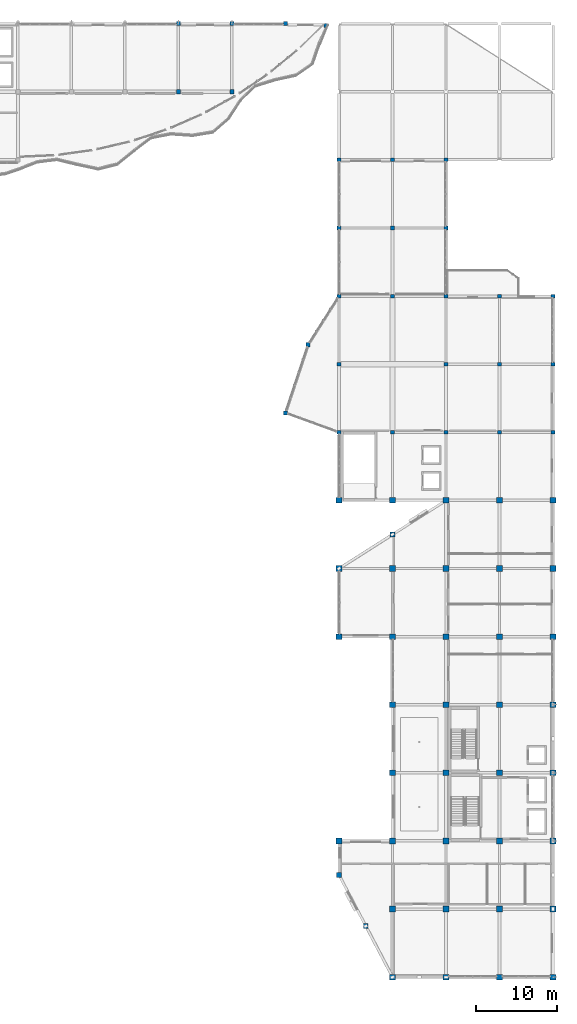
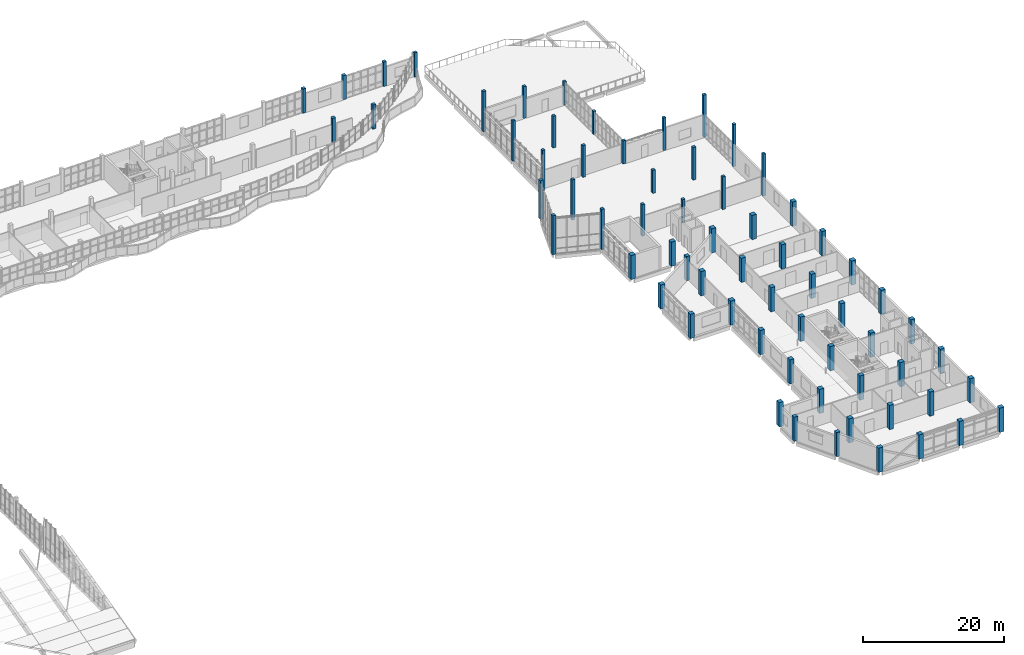
# One storey, part 2 of 78: 67 columns.
"""IFC4 building model written with IfcOpenShell, lengths in metres."""

from ifc_helpers import new_model, si_unit, direction, frame, origin, origin_2d, place, context, subcontext, project, spatial, rectangle, extrude, material, material_profile, profile_set, type_object, element, save


model = new_model("IFC4")

# Units and contexts
model_context = context("Model", 3, precision=1e-05, world=origin(), true_north=direction((0.0, 1.0)))
body_context = subcontext(model_context, "Body", "Model", "MODEL_VIEW")
ifc_project = project(units=[si_unit("LENGTHUNIT", "METRE"), si_unit("AREAUNIT", "SQUARE_METRE"), si_unit("VOLUMEUNIT", "CUBIC_METRE"), si_unit("PLANEANGLEUNIT", "RADIAN"), si_unit("MASSUNIT", "GRAM", prefix="KILO")], contexts=[model_context])

# Site, building, storey
site_placement = place(None, origin())
site = spatial("IfcSite", under=ifc_project, at=site_placement, CompositionType="ELEMENT")
building_placement = place(site_placement, origin())
building = spatial("IfcBuilding", under=site, at=building_placement, Name="Qaldarim Faculty of Natural and Applied Sciences", CompositionType="ELEMENT")
storey_placement = place(building_placement, frame((0.0, 0.0, 18.60009765625)))
storey = spatial("IfcBuildingStorey", under=building, at=storey_placement, Name="L04", CompositionType="ELEMENT", Elevation=18.60009765625)

# Columns
ifc_material_1 = material(Name="Concrete C40/50", Category="concrete")
ifc_material_profile_1 = material_profile(ifc_material_1, rectangle(XDim=0.449951171875, YDim=0.449951171875, at=origin_2d()), Name="RC-C450x450")
ifc_profile_set_1 = profile_set([ifc_material_profile_1], Name="Concrete C40/50")
column_type_1 = type_object("IfcColumnType", Name="Column-RC450x450", PredefinedType="COLUMN", material=ifc_profile_set_1)
for number, where, z_axis, x_axis, name in (
    (1, (151.800048828125, 67.199951171875, 0.0), (0.0, 0.0, 1.0), (1.0, 0.0, 0.0), "Column X24/Y09 L04"),
    (2, (151.800048828125, 75.60009765625, 0.0), (0.0, 0.0, 1.0), (1.0, 0.0, 0.0), "Column X24/Y10 L04"),
    (3, (151.800048828125, 84.0, 0.0), (0.0, 0.0, 1.0), (1.0, 0.0, 0.0), "Column X24/Y11 L04"),
    (4, (151.800048828125, 92.39990234375, 0.0), (0.0, 0.0, 1.0), (1.0, 0.0, 0.0), "Column X24/Y12 L04"),
    (5, (151.800048828125, 100.800048828125, 0.0), (0.0, 0.0, 1.0), (1.0, 0.0, 0.0), "Column X24/Y13 L04"),
):
    element("IfcColumn", number, at=place(storey_placement, frame(where, z_axis=z_axis, x_axis=x_axis)), inside=storey, type_object=column_type_1, Name=name, PredefinedType="COLUMN", context=body_context, shape_type="SweptSolid", body=[
        extrude(rectangle(XDim=0.449951171875, YDim=0.449951171875, at=origin_2d()), origin(), (0.0, 0.0, 1.0), 6.97998046875),
    ])
for number, where, z_axis, x_axis, name in (
    (6, (158.39990234375, 67.199951171875, 0.0), (0.0, 0.0, 1.0), (1.0, 0.0, 0.0), "Column X25/Y09 L04"),
    (7, (158.39990234375, 84.0, 0.0), (0.0, 0.0, 1.0), (1.0, 0.0, 0.0), "Column X25/Y11 L04"),
    (8, (158.39990234375, 92.39990234375, 0.0), (0.0, 0.0, 1.0), (1.0, 0.0, 0.0), "Column X25/Y12 L04"),
    (9, (158.39990234375, 100.800048828125, 0.0), (0.0, 0.0, 1.0), (1.0, 0.0, 0.0), "Column X25/Y13 L04"),
):
    element("IfcColumn", number, at=place(storey_placement, frame(where, z_axis=z_axis, x_axis=x_axis)), inside=storey, type_object=column_type_1, Name=name, PredefinedType="COLUMN", context=body_context, shape_type="SweptSolid", body=[
        extrude(rectangle(XDim=0.449951171875, YDim=0.449951171875, at=origin_2d()), origin(), (0.0, 0.0, 1.0), 5.494873046875),
    ])
for number, where, z_axis, x_axis, name in (
    (10, (165.0, 67.199951171875, 0.0), (0.0, 0.0, 1.0), (1.0, 0.0, 0.0), "Column X26/Y09 L04"),
    (11, (165.0, 75.60009765625, 0.0), (0.0, 0.0, 1.0), (1.0, 0.0, 0.0), "Column X26/Y10 L04"),
    (12, (165.0, 84.0, 0.0), (0.0, 0.0, 1.0), (1.0, 0.0, 0.0), "Column X26/Y11 L04"),
    (13, (165.0, 92.39990234375, 0.0), (0.0, 0.0, 1.0), (1.0, 0.0, 0.0), "Column X26/Y12 L04"),
    (14, (165.0, 100.800048828125, 0.0), (0.0, 0.0, 1.0), (1.0, 0.0, 0.0), "Column X26/Y13 L04"),
):
    element("IfcColumn", number, at=place(storey_placement, frame(where, z_axis=z_axis, x_axis=x_axis)), inside=storey, type_object=column_type_1, Name=name, PredefinedType="COLUMN", context=body_context, shape_type="SweptSolid", body=[
        extrude(rectangle(XDim=0.449951171875, YDim=0.449951171875, at=origin_2d()), origin(), (0.0, 0.0, 1.0), 4.010009765625),
    ])
for number, where, z_axis, x_axis, name in (
    (15, (171.60009765625, 67.199951171875, 0.0), (0.0, 0.0, 1.0), (1.0, 0.0, 0.0), "Column X27/Y09 L04"),
    (16, (171.60009765625, 75.60009765625, 0.0), (0.0, 0.0, 1.0), (1.0, 0.0, 0.0), "Column X27/Y10 L04"),
    (17, (171.60009765625, 84.0, 0.0), (0.0, 0.0, 1.0), (1.0, 0.0, 0.0), "Column X27/Y11 L04"),
):
    element("IfcColumn", number, at=place(storey_placement, frame(where, z_axis=z_axis, x_axis=x_axis)), inside=storey, type_object=column_type_1, Name=name, PredefinedType="COLUMN", context=body_context, shape_type="SweptSolid", body=[
        extrude(rectangle(XDim=0.449951171875, YDim=0.449951171875, at=origin_2d()), origin(), (0.0, 0.0, 1.0), 5.659912109375),
    ])
for number, where, z_axis, x_axis, name in (
    (18, (178.199951171875, 67.199951171875, 0.0), (0.0, 0.0, 1.0), (1.0, 0.0, 0.0), "Column X28/Y09 L04"),
    (19, (178.199951171875, 75.60009765625, 0.0), (0.0, 0.0, 1.0), (1.0, 0.0, 0.0), "Column X28/Y10 L04"),
    (20, (178.199951171875, 84.0, 0.0), (0.0, 0.0, 1.0), (1.0, 0.0, 0.0), "Column X28/Y11 L04"),
):
    element("IfcColumn", number, at=place(storey_placement, frame(where, z_axis=z_axis, x_axis=x_axis)), inside=storey, type_object=column_type_1, Name=name, PredefinedType="COLUMN", context=body_context, shape_type="SweptSolid", body=[
        extrude(rectangle(XDim=0.449951171875, YDim=0.449951171875, at=origin_2d()), origin(), (0.0, 0.0, 1.0), 7.309814453125),
    ])
column_placement = place(storey_placement, frame((150.14990234375, 117.375, 0.0), z_axis=(0.0, 0.0, 1.0), x_axis=(1.0, 0.0, 0.0)))
element("IfcColumn", 21, at=column_placement, inside=storey, type_object=column_type_1, Name="Special structural column V4-NE L04", PredefinedType="COLUMN", context=body_context, shape_type="SweptSolid", body=[
    extrude(rectangle(XDim=0.449951171875, YDim=0.449951171875, at=origin_2d()), origin(), (0.0, 0.0, 1.0), 4.199951171875),
])
ifc_material_2 = material(Name="Concrete C50/60", Category="concrete")
ifc_material_profile_2 = material_profile(ifc_material_2, rectangle(XDim=0.5, YDim=0.5, at=origin_2d()), Name="RC-C500x500")
ifc_profile_set_2 = profile_set([ifc_material_profile_2], Name="Concrete C50/60")
column_type_2 = type_object("IfcColumnType", Name="Column-RC500x500", PredefinedType="COLUMN", material=ifc_profile_set_2)
for number, where, z_axis, x_axis, name in (
    (22, (132.0, 109.199951171875, 0.0), (0.0, 0.0, 1.0), (1.0, 0.0, 0.0), "Column X21/Y14 L04"),
    (23, (132.0, 117.60009765625, 0.0), (0.0, 0.0, 1.0), (1.0, 0.0, 0.0), "Column X21/Y15 L04"),
    (24, (138.60009765625, 109.199951171875, 0.0), (0.0, 0.0, 1.0), (1.0, 0.0, 0.0), "Column X22/Y14 L04"),
    (25, (138.60009765625, 117.60009765625, 0.0), (0.0, 0.0, 1.0), (1.0, 0.0, 0.0), "Column X22/Y15 L04"),
    (26, (145.199951171875, 117.60009765625, 0.0), (0.0, 0.0, 1.0), (1.0, 0.0, 0.0), "Column X23/Y15 L04"),
):
    element("IfcColumn", number, at=place(storey_placement, frame(where, z_axis=z_axis, x_axis=x_axis)), inside=storey, type_object=column_type_2, Name=name, PredefinedType="COLUMN", context=body_context, shape_type="SweptSolid", body=[
        extrude(rectangle(XDim=0.5, YDim=0.5, at=origin_2d()), origin(), (0.0, 0.0, 1.0), 4.199951171875),
    ])
for number, where, z_axis, x_axis, name in (
    (27, (145.199951171875, 69.60009765625, 0.0), (0.0, 0.0, 1.0), (1.0, 0.0, 0.0), "Special structural column V3-PRW-S L04"),
    (28, (148.0, 78.0, 0.0), (0.0, 0.0, 1.0), (1.0, 0.0, 0.0), "Special structural column V3-PRW-N L04"),
):
    element("IfcColumn", number, at=place(storey_placement, frame(where, z_axis=z_axis, x_axis=x_axis)), inside=storey, type_object=column_type_2, Name=name, PredefinedType="COLUMN", context=body_context, shape_type="SweptSolid", body=[
        extrude(rectangle(XDim=0.5, YDim=0.5, at=origin_2d()), origin(), (0.0, 0.0, 1.0), 6.739990234375),
    ])
ifc_material_profile_3 = material_profile(ifc_material_2, rectangle(XDim=0.60009765625, YDim=0.60009765625, at=origin_2d()), Name="RC-C600x600")
ifc_profile_set_3 = profile_set([ifc_material_profile_3], Name="Concrete C50/60")
column_type_3 = type_object("IfcColumnType", Name="Column-RC600x600", PredefinedType="COLUMN", material=ifc_profile_set_3)
for number, where, z_axis, x_axis, name in (
    (29, (151.800048828125, 12.60009765625, 0.0), (0.0, 0.0, 1.0), (1.0, 0.0, 0.0), "Special structural column V5-SW1 L04"),
    (30, (155.10009765625, 6.300048828125, 0.0), (0.0, 0.0, 1.0), (1.0, 0.0, 0.0), "Special structural column V5-SW2 L04"),
    (31, (158.39990234375, 54.60009765625, 0.0), (0.0, 0.0, 1.0), (1.0, 0.0, 0.0), "Special structural column V5-NW6 L04"),
):
    element("IfcColumn", number, at=place(storey_placement, frame(where, z_axis=z_axis, x_axis=x_axis)), inside=storey, type_object=column_type_3, Name=name, PredefinedType="COLUMN", context=body_context, shape_type="SweptSolid", body=[
        extrude(rectangle(XDim=0.60009765625, YDim=0.60009765625, at=origin_2d()), origin(), (0.0, 0.0, 1.0), 4.199951171875),
    ])
ifc_material_profile_4 = material_profile(ifc_material_2, rectangle(XDim=0.699951171875, YDim=0.699951171875, at=origin_2d()), Name="RC-C700x700")
ifc_profile_set_4 = profile_set([ifc_material_profile_4], Name="Concrete C50/60")
column_type_4 = type_object("IfcColumnType", Name="Column-RC700x700", PredefinedType="COLUMN", material=ifc_profile_set_4)
for number, where, z_axis, x_axis, name in (
    (32, (151.800048828125, 16.800048828125, 0.0), (0.0, 0.0, 1.0), (1.0, 0.0, 0.0), "Column X24/Y03 L04"),
    (33, (151.800048828125, 42.0, 0.0), (0.0, 0.0, 1.0), (1.0, 0.0, 0.0), "Column X24/Y06 L04"),
    (34, (151.800048828125, 50.39990234375, 0.0), (0.0, 0.0, 1.0), (1.0, 0.0, 0.0), "Column X24/Y07 L04"),
    (35, (151.800048828125, 58.800048828125, 0.0), (0.0, 0.0, 1.0), (1.0, 0.0, 0.0), "Column X24/Y08 L04"),
    (36, (158.39990234375, 0.0, 0.0), (0.0, 0.0, 1.0), (1.0, 0.0, 0.0), "Column X25/Y01 L04"),
    (37, (158.39990234375, 8.39990234375, 0.0), (0.0, 0.0, 1.0), (1.0, 0.0, 0.0), "Column X25/Y02 L04"),
    (38, (158.39990234375, 16.800048828125, 0.0), (0.0, 0.0, 1.0), (1.0, 0.0, 0.0), "Column X25/Y03 L04"),
    (39, (158.39990234375, 25.199951171875, 0.0), (0.0, 0.0, 1.0), (1.0, 0.0, 0.0), "Column X25/Y04 L04"),
    (40, (158.39990234375, 33.60009765625, 0.0), (0.0, 0.0, 1.0), (1.0, 0.0, 0.0), "Column X25/Y05 L04"),
    (41, (158.39990234375, 42.0, 0.0), (0.0, 0.0, 1.0), (1.0, 0.0, 0.0), "Column X25/Y06 L04"),
    (42, (158.39990234375, 50.39990234375, 0.0), (0.0, 0.0, 1.0), (1.0, 0.0, 0.0), "Column X25/Y07 L04"),
    (43, (158.39990234375, 58.800048828125, 0.0), (0.0, 0.0, 1.0), (1.0, 0.0, 0.0), "Column X25/Y08 L04"),
    (44, (165.0, 0.0, 0.0), (0.0, 0.0, 1.0), (1.0, 0.0, 0.0), "Column X26/Y01 L04"),
    (45, (165.0, 8.39990234375, 0.0), (0.0, 0.0, 1.0), (1.0, 0.0, 0.0), "Column X26/Y02 L04"),
    (46, (165.0, 16.800048828125, 0.0), (0.0, 0.0, 1.0), (1.0, 0.0, 0.0), "Column X26/Y03 L04"),
    (47, (165.0, 25.199951171875, 0.0), (0.0, 0.0, 1.0), (1.0, 0.0, 0.0), "Column X26/Y04 L04"),
    (48, (165.0, 33.60009765625, 0.0), (0.0, 0.0, 1.0), (1.0, 0.0, 0.0), "Column X26/Y05 L04"),
    (49, (165.0, 42.0, 0.0), (0.0, 0.0, 1.0), (1.0, 0.0, 0.0), "Column X26/Y06 L04"),
    (50, (165.0, 50.39990234375, 0.0), (0.0, 0.0, 1.0), (1.0, 0.0, 0.0), "Column X26/Y07 L04"),
    (51, (165.0, 58.800048828125, 0.0), (0.0, 0.0, 1.0), (1.0, 0.0, 0.0), "Column X26/Y08 L04"),
    (52, (171.60009765625, 0.0, 0.0), (0.0, 0.0, 1.0), (1.0, 0.0, 0.0), "Column X27/Y01 L04"),
    (53, (171.60009765625, 8.39990234375, 0.0), (0.0, 0.0, 1.0), (1.0, 0.0, 0.0), "Column X27/Y02 L04"),
    (54, (171.60009765625, 16.800048828125, 0.0), (0.0, 0.0, 1.0), (1.0, 0.0, 0.0), "Column X27/Y03 L04"),
    (55, (171.60009765625, 25.199951171875, 0.0), (0.0, 0.0, 1.0), (1.0, 0.0, 0.0), "Column X27/Y04 L04"),
    (56, (171.60009765625, 33.60009765625, 0.0), (0.0, 0.0, 1.0), (1.0, 0.0, 0.0), "Column X27/Y05 L04"),
    (57, (171.60009765625, 42.0, 0.0), (0.0, 0.0, 1.0), (1.0, 0.0, 0.0), "Column X27/Y06 L04"),
    (58, (171.60009765625, 50.39990234375, 0.0), (0.0, 0.0, 1.0), (1.0, 0.0, 0.0), "Column X27/Y07 L04"),
    (59, (171.60009765625, 58.800048828125, 0.0), (0.0, 0.0, 1.0), (1.0, 0.0, 0.0), "Column X27/Y08 L04"),
    (60, (178.199951171875, 0.0, 0.0), (0.0, 0.0, 1.0), (1.0, 0.0, 0.0), "Column X28/Y01 L04"),
    (61, (178.199951171875, 8.39990234375, 0.0), (0.0, 0.0, 1.0), (1.0, 0.0, 0.0), "Column X28/Y02 L04"),
    (62, (178.199951171875, 16.800048828125, 0.0), (0.0, 0.0, 1.0), (1.0, 0.0, 0.0), "Column X28/Y03 L04"),
    (63, (178.199951171875, 25.199951171875, 0.0), (0.0, 0.0, 1.0), (1.0, 0.0, 0.0), "Column X28/Y04 L04"),
    (64, (178.199951171875, 33.60009765625, 0.0), (0.0, 0.0, 1.0), (1.0, 0.0, 0.0), "Column X28/Y05 L04"),
    (65, (178.199951171875, 42.0, 0.0), (0.0, 0.0, 1.0), (1.0, 0.0, 0.0), "Column X28/Y06 L04"),
    (66, (178.199951171875, 50.39990234375, 0.0), (0.0, 0.0, 1.0), (1.0, 0.0, 0.0), "Column X28/Y07 L04"),
    (67, (178.199951171875, 58.800048828125, 0.0), (0.0, 0.0, 1.0), (1.0, 0.0, 0.0), "Column X28/Y08 L04"),
):
    element("IfcColumn", number, at=place(storey_placement, frame(where, z_axis=z_axis, x_axis=x_axis)), inside=storey, type_object=column_type_4, Name=name, PredefinedType="COLUMN", context=body_context, shape_type="SweptSolid", body=[
        extrude(rectangle(XDim=0.699951171875, YDim=0.699951171875, at=origin_2d()), origin(), (0.0, 0.0, 1.0), 4.199951171875),
    ])

save(model, "model.ifc")
